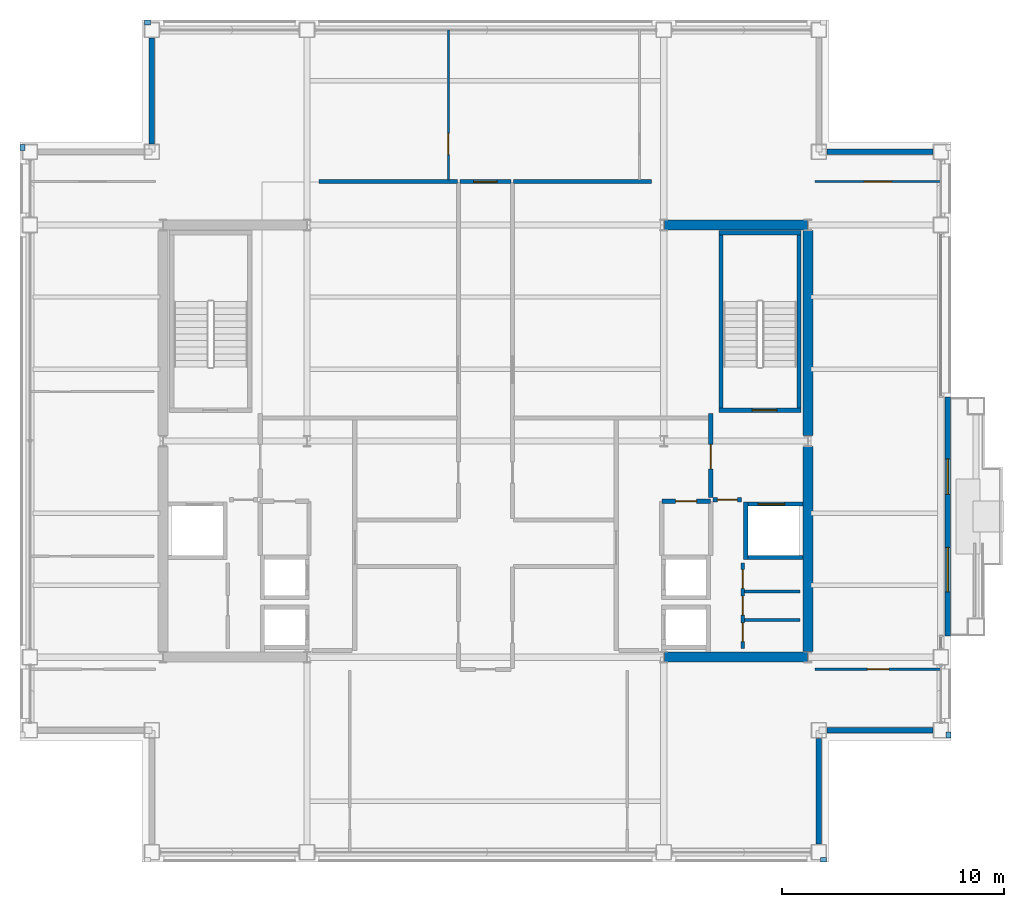
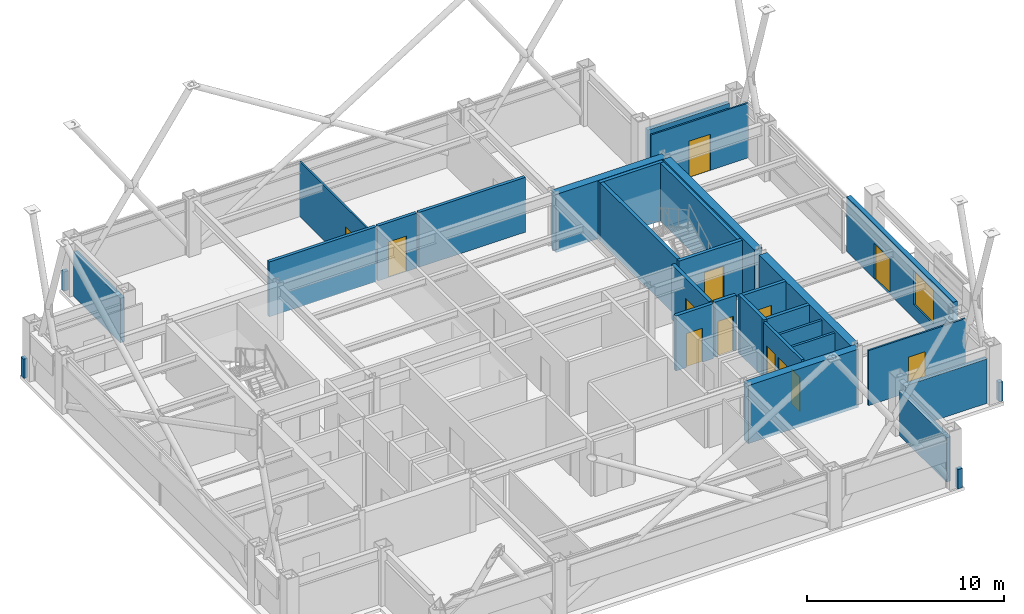
# One storey, part 30 of 33: 32 walls, 13 doors, 1 window, 14 openings.
"""IFC4 building model written with IfcOpenShell, lengths in metres."""

from ifc_helpers import new_model, si_unit, direction, frame, frame_2d, origin, place, context, subcontext, project, spatial, rectangle, extrude, material, layer, layer_set, type_object, element, fill, save


model = new_model("IFC4")

# Units and contexts
model_context = context("Model", 3, precision=1e-05, world=origin(), true_north=direction((0.0, 1.0)))
body_context = subcontext(model_context, "Body", "Model", "MODEL_VIEW")
ifc_project = project(units=[si_unit("LENGTHUNIT", "METRE"), si_unit("AREAUNIT", "SQUARE_METRE"), si_unit("VOLUMEUNIT", "CUBIC_METRE"), si_unit("PLANEANGLEUNIT", "RADIAN"), si_unit("MASSUNIT", "GRAM", prefix="KILO")], contexts=[model_context])

# Site, building, storey
site_placement = place(None, origin())
site = spatial("IfcSite", under=ifc_project, at=site_placement, CompositionType="ELEMENT")
building_placement = place(site_placement, origin())
building = spatial("IfcBuilding", under=site, at=building_placement, Name="Brelmoor Portico Tower", CompositionType="ELEMENT")
storey_placement = place(building_placement, frame((0.0, 0.0, 183.89990234375)))
storey = spatial("IfcBuildingStorey", under=building, at=storey_placement, Name="L48", CompositionType="ELEMENT", Elevation=183.89990234375)

# Walls
ifc_material_1 = material(Name="Concrete C50", Category="concrete")
ifc_layer_1 = layer(ifc_material_1, 0.449951171875)
ifc_layer_set_1 = layer_set([ifc_layer_1], Name="Concrete C50")
wall_type_1 = type_object("IfcWallType", Name="WL-CORE-450", PredefinedType="SHEAR", material=ifc_layer_set_1)
for number, where, z_axis, x_axis, name in (
    (1, (8.070068359375, -9.75, -0.199951171875), (0.0, 0.0, 1.0), (1.0, 0.0, 0.0), "L48 EC South Shear Wall"),
    (2, (8.070068359375, 9.75, -0.199951171875), (0.0, 0.0, 1.0), (1.0, 0.0, 0.0), "L48 EC North Shear Wall"),
):
    element("IfcWall", number, at=place(storey_placement, frame(where, z_axis=z_axis, x_axis=x_axis)), inside=storey, type_object=wall_type_1, Name=name, PredefinedType="SHEAR", context=body_context, shape_type="SweptSolid", body=[
        extrude(rectangle(XDim=6.4599609375, YDim=0.449951171875, at=frame_2d((3.22998046875, 0.0))), origin(), (0.0, 0.0, 1.0), 3.60009765625),
    ])
for number, where, z_axis, x_axis, name in (
    (3, (14.550048828125, -9.5, -0.199951171875), (0.0, 0.0, 1.0), (0.0, 1.0, 0.0), "L48 EC Outer South Shear Wall"),
    (4, (14.550048828125, 0.25, -0.199951171875), (0.0, 0.0, 1.0), (0.0, 1.0, 0.0), "L48 EC Outer North Shear Wall"),
):
    element("IfcWall", number, at=place(storey_placement, frame(where, z_axis=z_axis, x_axis=x_axis)), inside=storey, type_object=wall_type_1, Name=name, PredefinedType="SHEAR", context=body_context, shape_type="SweptSolid", body=[
        extrude(rectangle(XDim=9.25, YDim=0.449951171875, at=frame_2d((4.625, 0.0))), origin(), (0.0, 0.0, 1.0), 3.60009765625),
    ])

# Wall, openings, door, window
ifc_material_2 = material(Name="Precast Concrete C40 Insulated Facade Wall", Category="concrete")
ifc_layer_2 = layer(ifc_material_2, 0.25)
ifc_layer_set_2 = layer_set([ifc_layer_2], Name="Precast Concrete C40 Insulated Facade Wall")
wall_type_2 = type_object("IfcWallType", Name="WL-EXT-250", PredefinedType="STANDARD", material=ifc_layer_set_2)
wall_1_placement = place(storey_placement, frame((20.860107421875, -8.800048828125, 0.0), z_axis=(0.0, 0.0, 1.0), x_axis=(0.0, 1.0, 0.0)))
wall_1 = element("IfcWall", 5, at=wall_1_placement, inside=storey, type_object=wall_type_2, Name="L48 Loggia Threshold Wall E-1", PredefinedType="STANDARD", context=body_context, shape_type="SweptSolid", body=[
    extrude(rectangle(XDim=10.800048828125, YDim=0.25, at=frame_2d((5.39990234375, 0.0))), origin(), (0.0, 0.0, 1.0), 3.400146484375),
])
opening_1_placement = place(wall_1_placement, frame((6.39990234375, 0.0, 0.0)))
opening_1 = element("IfcOpeningElement", 6, at=opening_1_placement, cuts=wall_1, Name="Opening D-TB1", PredefinedType="OPENING", context=body_context, shape_type="SweptSolid", body=[
    extrude(rectangle(XDim=1.60009765625, YDim=2.199951171875, at=frame_2d((0.800048828125, 1.10009765625))), frame((0.0, 0.135009765625, 0.0), z_axis=(0.0, -1.0, 0.0), x_axis=(1.0, 0.0, 0.0)), (0.0, 0.0, 1.0), 0.27001953125),
])
opening_2_placement = place(wall_1_placement, frame((2.0, 0.0, 0.85009765625)))
opening_2 = element("IfcOpeningElement", 7, at=opening_2_placement, cuts=wall_1, Name="Opening W-03", PredefinedType="OPENING", context=body_context, shape_type="SweptSolid", body=[
    extrude(rectangle(XDim=2.0, YDim=2.10009765625, at=frame_2d((1.0, 1.050048828125))), frame((0.0, 0.135009765625, 0.0), z_axis=(0.0, -1.0, 0.0), x_axis=(1.0, 0.0, 0.0)), (0.0, 0.0, 1.0), 0.27001953125),
])
ifc_material_3 = material(Name="Double-Leaf Thermally Broken Terrace Door", Category="aluminium")
door_type_1 = type_object("IfcDoorType", Name="DR-BALCONY-1600", OperationType="NOTDEFINED", PredefinedType="DOOR", material=ifc_material_3)
door_1_placement = place(opening_1_placement, origin())
door_1 = element("IfcDoor", 8, at=door_1_placement, inside=storey, type_object=door_type_1, Name="D-2054 L48 Tree Balcony Double Door E", OperationType="DOUBLE_DOOR_SINGLE_SWING", OverallHeight=2.199951171875, OverallWidth=1.60009765625, PredefinedType="DOOR", context=body_context, shape_type="SweptSolid", body=[
    extrude(rectangle(XDim=1.60009765625, YDim=2.199951171875, at=frame_2d((0.800048828125, 1.10009765625))), frame((0.0, 0.02490234375, 0.0), z_axis=(0.0, -1.0, 0.0), x_axis=(1.0, 0.0, 0.0)), (0.0, 0.0, 1.0), 0.050048828125),
])
fill(opening_1, door_1)
ifc_material_4 = material(Name="Thermally Broken Aluminium Low-E Window", Category="aluminium")
window_type = type_object("IfcWindowType", Name="WN-LOGGIA-2000x2100", PartitioningType="SINGLE_PANEL", PredefinedType="WINDOW", material=ifc_material_4)
window_placement = place(opening_2_placement, origin())
window = element("IfcWindow", 9, at=window_placement, inside=storey, type_object=window_type, Name="L48 Loggia Window E", OverallHeight=2.10009765625, OverallWidth=2.0, PartitioningType="SINGLE_PANEL", PredefinedType="WINDOW", context=body_context, shape_type="SweptSolid", body=[
    extrude(rectangle(XDim=2.0, YDim=2.10009765625, at=frame_2d((1.0, 1.050048828125))), frame((0.0, 0.030029296875, 0.0), z_axis=(0.0, -1.0, 0.0), x_axis=(1.0, 0.0, 0.0)), (0.0, 0.0, 1.0), 0.06005859375),
])
fill(opening_2, window)

# Walls
for number, where, z_axis, x_axis, name in (
    (10, (15.409912109375, -13.050048828125, 0.0), (0.0, 0.0, 1.0), (1.0, 0.0, 0.0), "L48 Corner Notch Facade Wall NSEH1"),
    (11, (15.050048828125, -18.18994140625, 0.0), (0.0, 0.0, 1.0), (0.0, 1.0, 0.0), "L48 Corner Notch Facade Wall NSEV1"),
    (12, (-15.050048828125, 13.409912109375, 0.0), (0.0, 0.0, 1.0), (0.0, 1.0, 0.0), "L48 Corner Notch Facade Wall NNWV1"),
    (13, (15.409912109375, 13.050048828125, 0.0), (0.0, 0.0, 1.0), (1.0, 0.0, 0.0), "L48 Corner Notch Facade Wall NNEH1"),
):
    element("IfcWall", number, at=place(storey_placement, frame(where, z_axis=z_axis, x_axis=x_axis)), inside=storey, type_object=wall_type_2, Name=name, PredefinedType="STANDARD", context=body_context, shape_type="SweptSolid", body=[
        extrude(rectangle(XDim=4.780029296875, YDim=0.25, at=frame_2d((2.39013671875, 0.0))), origin(), (0.0, 0.0, 1.0), 2.75),
    ])
ifc_material_5 = material(Name="Concrete C40 Parapet Upstand", Category="concrete")
ifc_layer_3 = layer(ifc_material_5, 0.219970703125)
ifc_layer_set_3 = layer_set([ifc_layer_3], Name="Concrete C40 Parapet Upstand")
wall_type_3 = type_object("IfcWallType", Name="WL-PARAPET-220", PredefinedType="PARAPET", material=ifc_layer_set_3)
for number, where, z_axis, x_axis, name in (
    (14, (15.1201171875, -18.889892578125, 0.0), (0.0, 0.0, 1.0), (1.0, 0.0, 0.0), "L48 Chamfer Vertex Parapet Pier SE1"),
    (15, (20.889892578125, -13.389892578125, 0.0), (0.0, 0.0, 1.0), (0.0, 1.0, 0.0), "L48 Chamfer Vertex Parapet Pier SE2"),
    (16, (-15.389892578125, 18.889892578125, 0.0), (0.0, 0.0, 1.0), (1.0, 0.0, 0.0), "L48 Chamfer Vertex Parapet Pier NW1"),
    (17, (-20.889892578125, 13.1201171875, 0.0), (0.0, 0.0, 1.0), (0.0, 1.0, 0.0), "L48 Chamfer Vertex Parapet Pier NW2"),
):
    element("IfcWall", number, at=place(storey_placement, frame(where, z_axis=z_axis, x_axis=x_axis)), inside=storey, type_object=wall_type_3, Name=name, PredefinedType="PARAPET", context=body_context, shape_type="SweptSolid", body=[
        extrude(rectangle(XDim=0.269775390625, YDim=0.219970703125, at=frame_2d((0.134765625, 0.0))), origin(), (0.0, 0.0, 1.0), 1.2001953125),
    ])

# Wall, opening, door
ifc_material_6 = material(Name="Demountable Glazed Office Partition", Category="aluminium")
ifc_layer_4 = layer(ifc_material_6, 0.10009765625)
ifc_layer_set_4 = layer_set([ifc_layer_4], Name="Demountable Glazed Office Partition")
wall_type_4 = type_object("IfcWallType", Name="WL-PART-100", PredefinedType="PARTITIONING", material=ifc_layer_set_4)
wall_2_placement = place(storey_placement, frame((-1.669189453125, 11.77001953125, 0.0), z_axis=(0.0, 0.0, 1.0), x_axis=(0.0, 1.0, 0.0)))
wall_2 = element("IfcWall", 18, at=wall_2_placement, inside=storey, type_object=wall_type_4, Name="L48 North Suite Partition 1", PredefinedType="PARTITIONING", context=body_context, shape_type="SweptSolid", body=[
    extrude(rectangle(XDim=6.7900390625, YDim=0.10009765625, at=frame_2d((3.39501953125, 0.0))), origin(), (0.0, 0.0, 1.0), 3.400146484375),
])
opening_3_placement = place(wall_2_placement, frame((1.14990234375, 0.0, 0.0)))
opening_3 = element("IfcOpeningElement", 19, at=opening_3_placement, cuts=wall_2, Name="Opening D-IN2", PredefinedType="OPENING", context=body_context, shape_type="SweptSolid", body=[
    extrude(rectangle(XDim=0.9599609375, YDim=2.179931640625, at=frame_2d((0.47998046875, 1.08984375))), frame((0.0, 0.06005859375, 0.0), z_axis=(0.0, -1.0, 0.0), x_axis=(1.0, 0.0, 0.0)), (0.0, 0.0, 1.0), 0.1201171875),
])
ifc_material_7 = material(Name="Lacquered Timber Suite Door", Category="wood")
door_type_2 = type_object("IfcDoorType", Name="DR-INT-950", OperationType="NOTDEFINED", PredefinedType="DOOR", material=ifc_material_7)
door_2_placement = place(opening_3_placement, origin())
door_2 = element("IfcDoor", 20, at=door_2_placement, inside=storey, type_object=door_type_2, Name="D-2043 L48 North Suite Connecting Door 1", OperationType="SINGLE_SWING_RIGHT", OverallHeight=2.179931640625, OverallWidth=0.9599609375, PredefinedType="DOOR", context=body_context, shape_type="SweptSolid", body=[
    extrude(rectangle(XDim=0.9599609375, YDim=2.179931640625, at=frame_2d((0.47998046875, 1.08984375))), frame((0.0, 0.02490234375, 0.0), z_axis=(0.0, -1.0, 0.0), x_axis=(1.0, 0.0, 0.0)), (0.0, 0.0, 1.0), 0.050048828125),
])
fill(opening_3, door_2)

wall_3_placement = place(storey_placement, frame((14.8798828125, 11.7099609375, 0.0), z_axis=(0.0, 0.0, 1.0), x_axis=(1.0, 0.0, 0.0)))
wall_3 = element("IfcWall", 21, at=wall_3_placement, inside=storey, type_object=wall_type_4, Name="L48 North Wing Suite Wall ER", PredefinedType="PARTITIONING", context=body_context, shape_type="SweptSolid", body=[
    extrude(rectangle(XDim=5.68017578125, YDim=0.10009765625, at=frame_2d((2.840087890625, 0.0))), origin(), (0.0, 0.0, 1.0), 3.400146484375),
])
opening_4_placement = place(wall_3_placement, frame((2.219970703125, 0.0, 0.0)))
opening_4 = element("IfcOpeningElement", 22, at=opening_4_placement, cuts=wall_3, Name="Opening D-SU1", PredefinedType="OPENING", context=body_context, shape_type="SweptSolid", body=[
    extrude(rectangle(XDim=1.239990234375, YDim=2.239990234375, at=frame_2d((0.6201171875, 1.1201171875))), frame((0.0, 0.06005859375, 0.0), z_axis=(0.0, -1.0, 0.0), x_axis=(1.0, 0.0, 0.0)), (0.0, 0.0, 1.0), 0.1201171875),
])
ifc_material_8 = material(Name="Glazed Timber Executive Suite Door", Category="wood")
door_type_3 = type_object("IfcDoorType", Name="DR-SUITE-1200", OperationType="NOTDEFINED", PredefinedType="DOOR", material=ifc_material_8)
door_3_placement = place(opening_4_placement, origin())
door_3 = element("IfcDoor", 23, at=door_3_placement, inside=storey, type_object=door_type_3, Name="D-2045 L48 ER Wing Suite Connecting Door", OperationType="SINGLE_SWING_RIGHT", OverallHeight=2.239990234375, OverallWidth=1.239990234375, PredefinedType="DOOR", context=body_context, shape_type="SweptSolid", body=[
    extrude(rectangle(XDim=1.239990234375, YDim=2.239990234375, at=frame_2d((0.6201171875, 1.1201171875))), frame((0.0, 0.02490234375, 0.0), z_axis=(0.0, -1.0, 0.0), x_axis=(1.0, 0.0, 0.0)), (0.0, 0.0, 1.0), 0.050048828125),
])
fill(opening_4, door_3)

wall_4_placement = place(storey_placement, frame((14.8798828125, -10.300048828125, 0.0), z_axis=(0.0, 0.0, 1.0), x_axis=(1.0, 0.0, 0.0)))
wall_4 = element("IfcWall", 24, at=wall_4_placement, inside=storey, type_object=wall_type_4, Name="L48 South Wing Closure ER", PredefinedType="PARTITIONING", context=body_context, shape_type="SweptSolid", body=[
    extrude(rectangle(XDim=5.68017578125, YDim=0.10009765625, at=frame_2d((2.840087890625, 0.0))), origin(), (0.0, 0.0, 1.0), 3.400146484375),
])
opening_5_placement = place(wall_4_placement, frame((2.360107421875, 0.0, 0.0)))
opening_5 = element("IfcOpeningElement", 25, at=opening_5_placement, cuts=wall_4, Name="Opening D-IN2", PredefinedType="OPENING", context=body_context, shape_type="SweptSolid", body=[
    extrude(rectangle(XDim=0.9599609375, YDim=2.179931640625, at=frame_2d((0.47998046875, 1.08984375))), frame((0.0, 0.06005859375, 0.0), z_axis=(0.0, -1.0, 0.0), x_axis=(1.0, 0.0, 0.0)), (0.0, 0.0, 1.0), 0.1201171875),
])
door_4_placement = place(opening_5_placement, origin())
door_4 = element("IfcDoor", 26, at=door_4_placement, inside=storey, type_object=door_type_2, Name="D-2052 L48 ER Wing South Suite Door", OperationType="SINGLE_SWING_LEFT", OverallHeight=2.179931640625, OverallWidth=0.9599609375, PredefinedType="DOOR", context=body_context, shape_type="SweptSolid", body=[
    extrude(rectangle(XDim=0.9599609375, YDim=2.179931640625, at=frame_2d((0.47998046875, 1.08984375))), frame((0.0, 0.02490234375, 0.0), z_axis=(0.0, -1.0, 0.0), x_axis=(1.0, 0.0, 0.0)), (0.0, 0.0, 1.0), 0.050048828125),
])
fill(opening_5, door_4)

# Walls
ifc_material_9 = material(Name="Insulated Stud Suite Partition", Category="gypsum")
ifc_layer_5 = layer(ifc_material_9, 0.139892578125)
ifc_layer_set_5 = layer_set([ifc_layer_5], Name="Insulated Stud Suite Partition")
wall_type_5 = type_object("IfcWallType", Name="WL-PART-140", PredefinedType="PARTITIONING", material=ifc_layer_set_5)
for number, where, z_axis, x_axis, name in (
    (27, (11.699951171875, -8.066650390625, 0.0), (0.0, 0.0, 1.0), (1.0, 0.0, 0.0), "L48 E Core WC Divider 1"),
    (28, (11.699951171875, -6.783203125, 0.0), (0.0, 0.0, 1.0), (1.0, 0.0, 0.0), "L48 E Core WC Divider 2"),
):
    element("IfcWall", number, at=place(storey_placement, frame(where, z_axis=z_axis, x_axis=x_axis)), inside=storey, type_object=wall_type_5, Name=name, PredefinedType="PARTITIONING", context=body_context, shape_type="SweptSolid", body=[
        extrude(rectangle(XDim=2.5, YDim=0.139892578125, at=frame_2d((1.25, 0.0))), origin(), (0.0, 0.0, 1.0), 3.400146484375),
    ])

# Wall, openings, doors
ifc_material_10 = material(Name="Twin-Frame Acoustic Partition", Category="gypsum")
ifc_layer_6 = layer(ifc_material_10, 0.159912109375)
ifc_layer_set_6 = layer_set([ifc_layer_6], Name="Twin-Frame Acoustic Partition")
wall_type_6 = type_object("IfcWallType", Name="WL-PART-160", PredefinedType="PARTITIONING", material=ifc_layer_set_6)
wall_5_placement = place(storey_placement, frame((11.6201171875, -9.35009765625, 0.0), z_axis=(0.0, 0.0, 1.0), x_axis=(0.0, 1.0, 0.0)))
wall_5 = element("IfcWall", 29, at=wall_5_placement, inside=storey, type_object=wall_type_6, Name="L48 E Core Service Front Wall", PredefinedType="PARTITIONING", context=body_context, shape_type="SweptSolid", body=[
    extrude(rectangle(XDim=3.85009765625, YDim=0.159912109375, at=frame_2d((1.925048828125, 0.0))), origin(), (0.0, 0.0, 1.0), 3.400146484375),
])
opening_6_placement = place(wall_5_placement, frame((0.300048828125, 0.0, 0.0)))
opening_6 = element("IfcOpeningElement", 30, at=opening_6_placement, cuts=wall_5, Name="Opening D-WC1", PredefinedType="OPENING", context=body_context, shape_type="SweptSolid", body=[
    extrude(rectangle(XDim=0.85009765625, YDim=2.1201171875, at=frame_2d((0.425048828125, 1.06005859375))), frame((0.0, 0.08984375, 0.0), z_axis=(0.0, -1.0, 0.0), x_axis=(1.0, 0.0, 0.0)), (0.0, 0.0, 1.0), 0.179931640625),
])
opening_7_placement = place(wall_5_placement, frame((1.5, 0.0, 0.0)))
opening_7 = element("IfcOpeningElement", 31, at=opening_7_placement, cuts=wall_5, Name="Opening D-WC1", PredefinedType="OPENING", context=body_context, shape_type="SweptSolid", body=[
    extrude(rectangle(XDim=0.85009765625, YDim=2.1201171875, at=frame_2d((0.425048828125, 1.06005859375))), frame((0.0, 0.08984375, 0.0), z_axis=(0.0, -1.0, 0.0), x_axis=(1.0, 0.0, 0.0)), (0.0, 0.0, 1.0), 0.179931640625),
])
opening_8_placement = place(wall_5_placement, frame((2.699951171875, 0.0, 0.0)))
opening_8 = element("IfcOpeningElement", 32, at=opening_8_placement, cuts=wall_5, Name="Opening D-WC1", PredefinedType="OPENING", context=body_context, shape_type="SweptSolid", body=[
    extrude(rectangle(XDim=0.85009765625, YDim=2.1201171875, at=frame_2d((0.425048828125, 1.06005859375))), frame((0.0, 0.08984375, 0.0), z_axis=(0.0, -1.0, 0.0), x_axis=(1.0, 0.0, 0.0)), (0.0, 0.0, 1.0), 0.179931640625),
])
ifc_material_11 = material(Name="Moisture-Resistant Laminate WC Door", Category="timber")
door_type_4 = type_object("IfcDoorType", Name="DR-WC-850", OperationType="NOTDEFINED", PredefinedType="DOOR", material=ifc_material_11)
door_5_placement = place(opening_6_placement, origin())
door_5 = element("IfcDoor", 33, at=door_5_placement, inside=storey, type_object=door_type_4, Name="D-2030 L48 E Male WC Door", OperationType="SINGLE_SWING_LEFT", OverallHeight=2.1201171875, OverallWidth=0.85009765625, PredefinedType="DOOR", context=body_context, shape_type="SweptSolid", body=[
    extrude(rectangle(XDim=0.85009765625, YDim=2.1201171875, at=frame_2d((0.425048828125, 1.06005859375))), frame((0.0, 0.02490234375, 0.0), z_axis=(0.0, -1.0, 0.0), x_axis=(1.0, 0.0, 0.0)), (0.0, 0.0, 1.0), 0.050048828125),
])
fill(opening_6, door_5)
door_6_placement = place(opening_7_placement, origin())
door_6 = element("IfcDoor", 34, at=door_6_placement, inside=storey, type_object=door_type_4, Name="D-2031 L48 E Female WC Door", OperationType="SINGLE_SWING_RIGHT", OverallHeight=2.1201171875, OverallWidth=0.85009765625, PredefinedType="DOOR", context=body_context, shape_type="SweptSolid", body=[
    extrude(rectangle(XDim=0.85009765625, YDim=2.1201171875, at=frame_2d((0.425048828125, 1.06005859375))), frame((0.0, 0.02490234375, 0.0), z_axis=(0.0, -1.0, 0.0), x_axis=(1.0, 0.0, 0.0)), (0.0, 0.0, 1.0), 0.050048828125),
])
fill(opening_7, door_6)
door_7_placement = place(opening_8_placement, origin())
door_7 = element("IfcDoor", 35, at=door_7_placement, inside=storey, type_object=door_type_4, Name="D-2032 L48 E Janitor Store Door", OperationType="SINGLE_SWING_LEFT", OverallHeight=2.1201171875, OverallWidth=0.85009765625, PredefinedType="DOOR", context=body_context, shape_type="SweptSolid", body=[
    extrude(rectangle(XDim=0.85009765625, YDim=2.1201171875, at=frame_2d((0.425048828125, 1.06005859375))), frame((0.0, 0.02490234375, 0.0), z_axis=(0.0, -1.0, 0.0), x_axis=(1.0, 0.0, 0.0)), (0.0, 0.0, 1.0), 0.050048828125),
])
fill(opening_8, door_7)

# Walls
ifc_material_12 = material(Name="Acoustic Corridor Fire Partition", Category="gypsum")
ifc_layer_7 = layer(ifc_material_12, 0.179931640625)
ifc_layer_set_7 = layer_set([ifc_layer_7], Name="Acoustic Corridor Fire Partition")
wall_type_7 = type_object("IfcWallType", Name="WL-PART-180", PredefinedType="PARTITIONING", material=ifc_layer_set_7)
for number, where, z_axis, x_axis, name in (
    (36, (-7.5, 11.7099609375, 0.0), (0.0, 0.0, 1.0), (1.0, 0.0, 0.0), "L48 West Reclaimed Suite North Wall"),
    (37, (1.260009765625, 11.7099609375, 0.0), (0.0, 0.0, 1.0), (1.0, 0.0, 0.0), "L48 East Suite North Wall"),
):
    element("IfcWall", number, at=place(storey_placement, frame(where, z_axis=z_axis, x_axis=x_axis)), inside=storey, type_object=wall_type_7, Name=name, PredefinedType="PARTITIONING", context=body_context, shape_type="SweptSolid", body=[
        extrude(rectangle(XDim=6.239990234375, YDim=0.179931640625, at=frame_2d((3.1201171875, 0.0))), origin(), (0.0, 0.0, 1.0), 3.400146484375),
    ])

# Wall, opening, door
wall_6_placement = place(storey_placement, frame((-1.14990234375, 11.7099609375, 0.0), z_axis=(0.0, 0.0, 1.0), x_axis=(1.0, 0.0, 0.0)))
wall_6 = element("IfcWall", 38, at=wall_6_placement, inside=storey, type_object=wall_type_7, Name="L48 North Corridor Partition", PredefinedType="PARTITIONING", context=body_context, shape_type="SweptSolid", body=[
    extrude(rectangle(XDim=2.2998046875, YDim=0.179931640625, at=frame_2d((1.14990234375, 0.0))), origin(), (0.0, 0.0, 1.0), 3.400146484375),
])
opening_9_placement = place(wall_6_placement, frame((0.6201171875, 0.0, 0.0)))
opening_9 = element("IfcOpeningElement", 39, at=opening_9_placement, cuts=wall_6, Name="Opening D-OF2", PredefinedType="OPENING", context=body_context, shape_type="SweptSolid", body=[
    extrude(rectangle(XDim=1.06005859375, YDim=2.199951171875, at=frame_2d((0.530029296875, 1.10009765625))), frame((0.0, 0.099853515625, 0.0), z_axis=(0.0, -1.0, 0.0), x_axis=(1.0, 0.0, 0.0)), (0.0, 0.0, 1.0), 0.199951171875),
])
ifc_material_13 = material(Name="Hardwood Acoustic Veneer Door", Category="wood")
door_type_5 = type_object("IfcDoorType", Name="DR-OFFICE-1050", OperationType="NOTDEFINED", PredefinedType="DOOR", material=ifc_material_13)
door_8_placement = place(opening_9_placement, origin())
door_8 = element("IfcDoor", 40, at=door_8_placement, inside=storey, type_object=door_type_5, Name="D-2042 L48 North First-Aid Consultation 2 Door", OperationType="SINGLE_SWING_RIGHT", OverallHeight=2.199951171875, OverallWidth=1.06005859375, PredefinedType="DOOR", context=body_context, shape_type="SweptSolid", body=[
    extrude(rectangle(XDim=1.06005859375, YDim=2.199951171875, at=frame_2d((0.530029296875, 1.10009765625))), frame((0.0, 0.02490234375, 0.0), z_axis=(0.0, -1.0, 0.0), x_axis=(1.0, 0.0, 0.0)), (0.0, 0.0, 1.0), 0.050048828125),
])
fill(opening_9, door_8)

ifc_material_14 = material(Name="Double-Stud Gypsum Fire Partition", Category="gypsum")
ifc_layer_8 = layer(ifc_material_14, 0.199951171875)
ifc_layer_set_8 = layer_set([ifc_layer_8], Name="Double-Stud Gypsum Fire Partition")
wall_type_8 = type_object("IfcWallType", Name="WL-PART-200", PredefinedType="PARTITIONING", material=ifc_layer_set_8)
wall_7_placement = place(storey_placement, frame((10.159912109375, -2.550048828125, 0.0), z_axis=(0.0, 0.0, 1.0), x_axis=(0.0, 1.0, 0.0)))
wall_7 = element("IfcWall", 41, at=wall_7_placement, inside=storey, type_object=wall_type_8, Name="L48 E Firefighting Lobby Wall", PredefinedType="PARTITIONING", context=body_context, shape_type="SweptSolid", body=[
    extrude(rectangle(XDim=3.800048828125, YDim=0.199951171875, at=frame_2d((1.89990234375, 0.0))), origin(), (0.0, 0.0, 1.0), 3.400146484375),
])
opening_10_placement = place(wall_7_placement, frame((1.300048828125, 0.0, 0.0)))
opening_10 = element("IfcOpeningElement", 42, at=opening_10_placement, cuts=wall_7, Name="Opening D-FR1", PredefinedType="OPENING", context=body_context, shape_type="SweptSolid", body=[
    extrude(rectangle(XDim=1.10009765625, YDim=2.14990234375, at=frame_2d((0.550048828125, 1.074951171875))), frame((0.0, 0.10986328125, 0.0), z_axis=(0.0, -1.0, 0.0), x_axis=(1.0, 0.0, 0.0)), (0.0, 0.0, 1.0), 0.219970703125),
])
ifc_material_15 = material(Name="Painted Galvanised Steel Fire Door", Category="steel")
door_type_6 = type_object("IfcDoorType", Name="DR-FIRE-1100", OperationType="NOTDEFINED", PredefinedType="DOOR", material=ifc_material_15)
door_9_placement = place(opening_10_placement, origin())
door_9 = element("IfcDoor", 43, at=door_9_placement, inside=storey, type_object=door_type_6, Name="D-2038 L48 E Firefighting Lobby Door", OperationType="SINGLE_SWING_RIGHT", OverallHeight=2.14990234375, OverallWidth=1.10009765625, PredefinedType="DOOR", context=body_context, shape_type="SweptSolid", body=[
    extrude(rectangle(XDim=1.10009765625, YDim=2.14990234375, at=frame_2d((0.550048828125, 1.074951171875))), frame((0.0, 0.02490234375, 0.0), z_axis=(0.0, -1.0, 0.0), x_axis=(1.0, 0.0, 0.0)), (0.0, 0.0, 1.0), 0.050048828125),
])
fill(opening_10, door_9)

wall_8_placement = place(storey_placement, frame((10.280029296875, -2.64990234375, 0.0), z_axis=(0.0, 0.0, 1.0), x_axis=(1.0, 0.0, 0.0)))
wall_8 = element("IfcWall", 44, at=wall_8_placement, inside=storey, type_object=wall_type_8, Name="L48 E Firefighting Lobby South Wall", PredefinedType="PARTITIONING", context=body_context, shape_type="SweptSolid", body=[
    extrude(rectangle(XDim=1.27001953125, YDim=0.199951171875, at=frame_2d((0.635009765625, 0.0))), origin(), (0.0, 0.0, 1.0), 3.400146484375),
])
opening_11_placement = place(wall_8_placement, frame((0.18505859375, 0.0, 0.0)))
opening_11 = element("IfcOpeningElement", 45, at=opening_11_placement, cuts=wall_8, Name="Opening D-IN1", PredefinedType="OPENING", context=body_context, shape_type="SweptSolid", body=[
    extrude(rectangle(XDim=0.89990234375, YDim=2.14990234375, at=frame_2d((0.449951171875, 1.074951171875))), frame((0.0, 0.10986328125, 0.0), z_axis=(0.0, -1.0, 0.0), x_axis=(1.0, 0.0, 0.0)), (0.0, 0.0, 1.0), 0.219970703125),
])
door_type_7 = type_object("IfcDoorType", Name="DR-INT-900", OperationType="NOTDEFINED", PredefinedType="DOOR", material=ifc_material_7)
door_10_placement = place(opening_11_placement, origin())
door_10 = element("IfcDoor", 46, at=door_10_placement, inside=storey, type_object=door_type_7, Name="D-2033 L48 E Core Service Vestibule Door", OperationType="SINGLE_SWING_LEFT", OverallHeight=2.14990234375, OverallWidth=0.89990234375, PredefinedType="DOOR", context=body_context, shape_type="SweptSolid", body=[
    extrude(rectangle(XDim=0.89990234375, YDim=2.14990234375, at=frame_2d((0.449951171875, 1.074951171875))), frame((0.0, 0.02490234375, 0.0), z_axis=(0.0, -1.0, 0.0), x_axis=(1.0, 0.0, 0.0)), (0.0, 0.0, 1.0), 0.050048828125),
])
fill(opening_11, door_10)

wall_9_placement = place(storey_placement, frame((7.9599609375, -2.719970703125, 0.0), z_axis=(0.0, 0.0, 1.0), x_axis=(1.0, 0.0, 0.0)))
wall_9 = element("IfcWall", 47, at=wall_9_placement, inside=storey, type_object=wall_type_8, Name="L48 E Electrical Switchgear Closet Wall", PredefinedType="PARTITIONING", context=body_context, shape_type="SweptSolid", body=[
    extrude(rectangle(XDim=2.199951171875, YDim=0.199951171875, at=frame_2d((1.10009765625, 0.0))), origin(), (0.0, 0.0, 1.0), 3.400146484375),
])
opening_12_placement = place(wall_9_placement, frame((0.6201171875, 0.0, 0.0)))
opening_12 = element("IfcOpeningElement", 48, at=opening_12_placement, cuts=wall_9, Name="Opening D-FR4", PredefinedType="OPENING", context=body_context, shape_type="SweptSolid", body=[
    extrude(rectangle(XDim=0.949951171875, YDim=2.10009765625, at=frame_2d((0.47509765625, 1.050048828125))), frame((0.0, 0.10986328125, 0.0), z_axis=(0.0, -1.0, 0.0), x_axis=(1.0, 0.0, 0.0)), (0.0, 0.0, 1.0), 0.219970703125),
])
ifc_material_16 = material(Name="Painted Galvanised Steel Riser Door", Category="steel")
door_type_8 = type_object("IfcDoorType", Name="DR-FIRE-950", OperationType="NOTDEFINED", PredefinedType="DOOR", material=ifc_material_16)
door_11_placement = place(opening_12_placement, origin())
door_11 = element("IfcDoor", 49, at=door_11_placement, inside=storey, type_object=door_type_8, Name="D-2036 L48 E Electrical Switchgear Closet Door", OperationType="SINGLE_SWING_RIGHT", OverallHeight=2.10009765625, OverallWidth=0.949951171875, PredefinedType="DOOR", context=body_context, shape_type="SweptSolid", body=[
    extrude(rectangle(XDim=0.949951171875, YDim=2.10009765625, at=frame_2d((0.47509765625, 1.050048828125))), frame((0.0, 0.02490234375, 0.0), z_axis=(0.0, -1.0, 0.0), x_axis=(1.0, 0.0, 0.0)), (0.0, 0.0, 1.0), 0.050048828125),
])
fill(opening_12, door_11)

ifc_material_17 = material(Name="Precast Concrete C40", Category="concrete")
ifc_layer_9 = layer(ifc_material_17, 0.18994140625)
ifc_layer_set_9 = layer_set([ifc_layer_9], Name="Precast Concrete C40")
wall_type_9 = type_object("IfcWallType", Name="WL-SHAFT-180", PredefinedType="SOLIDWALL", material=ifc_layer_set_9)
wall_10_placement = place(storey_placement, frame((11.64990234375, -2.844970703125, -0.199951171875), z_axis=(0.0, 0.0, 1.0), x_axis=(1.0, 0.0, 0.0)))
wall_10 = element("IfcWall", 50, at=wall_10_placement, inside=storey, type_object=wall_type_9, Name="L48 Lift FF2 Hoistway Front Wall", PredefinedType="SOLIDWALL", context=body_context, shape_type="SweptSolid", body=[
    extrude(rectangle(XDim=2.68017578125, YDim=0.18994140625, at=frame_2d((1.340087890625, 0.0))), origin(), (0.0, 0.0, 1.0), 3.60009765625),
])
opening_13_placement = place(wall_10_placement, frame((0.64990234375, 0.0, 0.199951171875)))
opening_13 = element("IfcOpeningElement", 51, at=opening_13_placement, cuts=wall_10, Name="Opening LD-02", PredefinedType="OPENING", context=body_context, shape_type="SweptSolid", body=[
    extrude(rectangle(XDim=1.199951171875, YDim=2.199951171875, at=frame_2d((0.60009765625, 1.10009765625))), frame((0.0, 0.10498046875, 0.0), z_axis=(0.0, -1.0, 0.0), x_axis=(1.0, 0.0, 0.0)), (0.0, 0.0, 1.0), 0.2099609375),
])
ifc_material_18 = material(Name="Brushed Stainless Steel Firefighting Lift Door", Category="steel")
door_type_9 = type_object("IfcDoorType", Name="DR-LIFT-1200", OperationType="NOTDEFINED", PredefinedType="DOOR", material=ifc_material_18)
door_12_placement = place(opening_13_placement, origin())
door_12 = element("IfcDoor", 52, at=door_12_placement, inside=storey, type_object=door_type_9, Name="D-2058 L48 Lift FF2 Sliding Landing Door", OperationType="SLIDING_TO_LEFT", OverallHeight=2.199951171875, OverallWidth=1.199951171875, PredefinedType="DOOR", context=body_context, shape_type="SweptSolid", body=[
    extrude(rectangle(XDim=1.199951171875, YDim=2.199951171875, at=frame_2d((0.60009765625, 1.10009765625))), frame((0.0, 0.02490234375, 0.0), z_axis=(0.0, -1.0, 0.0), x_axis=(1.0, 0.0, 0.0)), (0.0, 0.0, 1.0), 0.050048828125),
])
fill(opening_13, door_12)

# Walls
wall_11_placement = place(storey_placement, frame((11.64990234375, -5.2548828125, -0.199951171875), z_axis=(0.0, 0.0, 1.0), x_axis=(1.0, 0.0, 0.0)))
element("IfcWall", 53, at=wall_11_placement, inside=storey, type_object=wall_type_9, Name="L48 Firefighting Lift FF2 South Wall", PredefinedType="SOLIDWALL", context=body_context, shape_type="SweptSolid", body=[
    extrude(rectangle(XDim=2.68017578125, YDim=0.18994140625, at=frame_2d((1.340087890625, 0.0))), origin(), (0.0, 0.0, 1.0), 3.60009765625),
])
wall_12_placement = place(storey_placement, frame((11.7451171875, -5.35009765625, -0.199951171875), z_axis=(0.0, 0.0, 1.0), x_axis=(0.0, 1.0, 0.0)))
element("IfcWall", 54, at=wall_12_placement, inside=storey, type_object=wall_type_9, Name="L48 Firefighting Lift FF2 Inner Wall", PredefinedType="SOLIDWALL", context=body_context, shape_type="SweptSolid", body=[
    extrude(rectangle(XDim=2.60009765625, YDim=0.18994140625, at=frame_2d((1.300048828125, 0.0))), origin(), (0.0, 0.0, 1.0), 3.60009765625),
])
ifc_material_19 = material(Name="Concrete C40", Category="concrete")
ifc_layer_10 = layer(ifc_material_19, 0.199951171875)
ifc_layer_set_10 = layer_set([ifc_layer_10], Name="Concrete C40")
wall_type_10 = type_object("IfcWallType", Name="WL-SHAFT-RC200", PredefinedType="SOLIDWALL", material=ifc_layer_set_10)
wall_13_placement = place(storey_placement, frame((14.14990234375, 1.5, -0.199951171875), z_axis=(0.0, 0.0, 1.0), x_axis=(0.0, 1.0, 0.0)))
element("IfcWall", 55, at=wall_13_placement, inside=storey, type_object=wall_type_10, Name="L48 ST-E Structural Stair Wall Outer", PredefinedType="SOLIDWALL", context=body_context, shape_type="SweptSolid", body=[
    extrude(rectangle(XDim=7.800048828125, YDim=0.199951171875, at=frame_2d((3.89990234375, 0.0))), origin(), (0.0, 0.0, 1.0), 3.60009765625),
])

# Wall, opening, door
wall_14_placement = place(storey_placement, frame((10.530029296875, 1.39990234375, -0.199951171875), z_axis=(0.0, 0.0, 1.0), x_axis=(1.0, 0.0, 0.0)))
wall_14 = element("IfcWall", 56, at=wall_14_placement, inside=storey, type_object=wall_type_10, Name="L48 ST-E Structural Stair Wall S", PredefinedType="SOLIDWALL", context=body_context, shape_type="SweptSolid", body=[
    extrude(rectangle(XDim=3.719970703125, YDim=0.199951171875, at=frame_2d((1.85986328125, 0.0))), origin(), (0.0, 0.0, 1.0), 3.60009765625),
])
opening_14_placement = place(wall_14_placement, frame((1.5, 0.0, 0.199951171875)))
opening_14 = element("IfcOpeningElement", 57, at=opening_14_placement, cuts=wall_14, Name="Opening D-ST1", PredefinedType="OPENING", context=body_context, shape_type="SweptSolid", body=[
    extrude(rectangle(XDim=1.1201171875, YDim=2.179931640625, at=frame_2d((0.56005859375, 1.08984375))), frame((0.0, 0.10986328125, 0.0), z_axis=(0.0, -1.0, 0.0), x_axis=(1.0, 0.0, 0.0)), (0.0, 0.0, 1.0), 0.219970703125),
])
door_type_10 = type_object("IfcDoorType", Name="DR-STAIR-1100", OperationType="NOTDEFINED", PredefinedType="DOOR", material=ifc_material_15)
door_13_placement = place(opening_14_placement, origin())
door_13 = element("IfcDoor", 58, at=door_13_placement, inside=storey, type_object=door_type_10, Name="D-2050 L48 ST-E Protected Exit Stair Door", OperationType="SINGLE_SWING_RIGHT", OverallHeight=2.179931640625, OverallWidth=1.1201171875, PredefinedType="DOOR", context=body_context, shape_type="SweptSolid", body=[
    extrude(rectangle(XDim=1.1201171875, YDim=2.179931640625, at=frame_2d((0.56005859375, 1.08984375))), frame((0.0, 0.02490234375, 0.0), z_axis=(0.0, -1.0, 0.0), x_axis=(1.0, 0.0, 0.0)), (0.0, 0.0, 1.0), 0.050048828125),
])
fill(opening_14, door_13)

# Walls
wall_15_placement = place(storey_placement, frame((10.530029296875, 9.39990234375, -0.199951171875), z_axis=(0.0, 0.0, 1.0), x_axis=(1.0, 0.0, 0.0)))
element("IfcWall", 59, at=wall_15_placement, inside=storey, type_object=wall_type_10, Name="L48 ST-E Structural Stair Wall N", PredefinedType="SOLIDWALL", context=body_context, shape_type="SweptSolid", body=[
    extrude(rectangle(XDim=3.719970703125, YDim=0.199951171875, at=frame_2d((1.85986328125, 0.0))), origin(), (0.0, 0.0, 1.0), 3.60009765625),
])
wall_16_placement = place(storey_placement, frame((10.6298828125, 1.5, -0.199951171875), z_axis=(0.0, 0.0, 1.0), x_axis=(0.0, 1.0, 0.0)))
element("IfcWall", 60, at=wall_16_placement, inside=storey, type_object=wall_type_10, Name="L48 ST-E Structural Stair Wall Inner", PredefinedType="SOLIDWALL", context=body_context, shape_type="SweptSolid", body=[
    extrude(rectangle(XDim=7.800048828125, YDim=0.199951171875, at=frame_2d((3.89990234375, 0.0))), origin(), (0.0, 0.0, 1.0), 3.60009765625),
])

save(model, "model.ifc")
